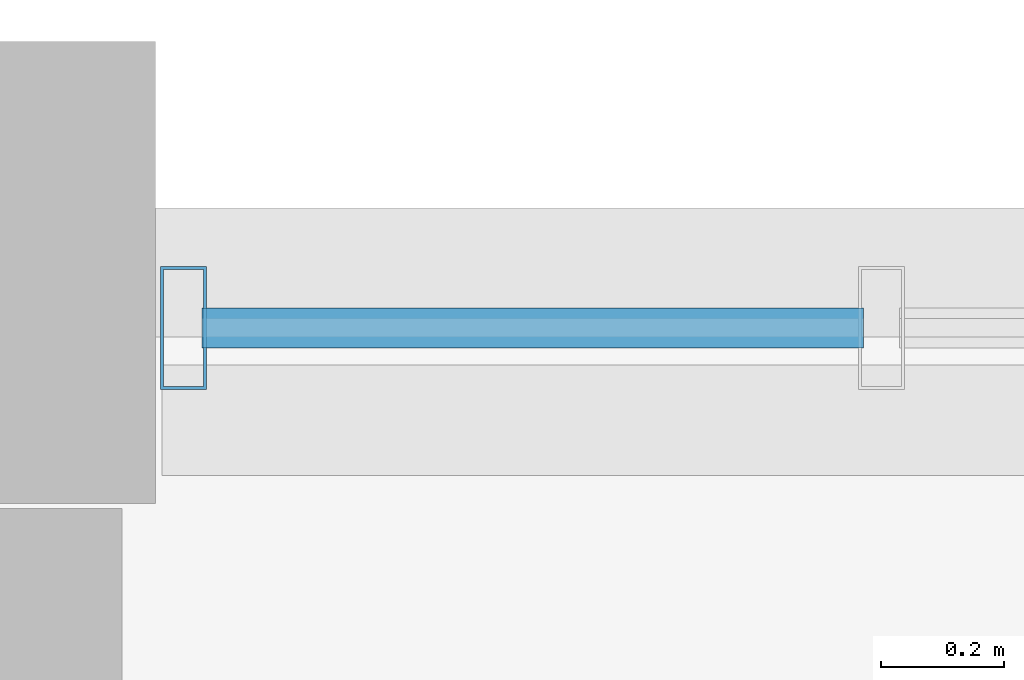
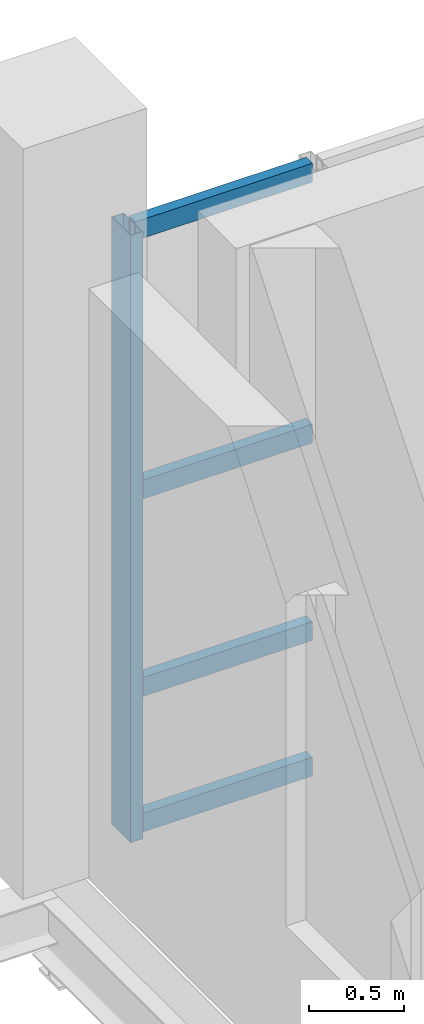
# One storey, part 61 of 127: 5 members, 1 element without a shape of its own.
"""IFC4 building model written with IfcOpenShell, lengths in metres."""

import ifcopenshell
import ifcopenshell.guid

model = None  # the IFC model being written
_history = None  # IfcOwnerHistory: only IFC2X3 demands one
_inside = {}  # id of a spatial element -> (the spatial element, [elements in it])
_under = {}  # id of a project, library or spatial element -> (it, [spatial elements below it])
_declared = {}  # id of a project -> (the project, [libraries it declares])
_typed = {}  # id of a type object -> (the type object, [elements of that type])
_made_of = {}  # id of a material, layer set ... -> (it, [elements and type objects made of it])


def new_model(schema):
    """Start an empty IFC model of exactly this schema.

    Asked for "IFC4X3", IfcOpenShell would pick the latest addendum, in which some entities
    have other attributes; the version numbers below select the first issue.
    IFC2X3 requires an IfcOwnerHistory on every rooted entity: one is made here for all.
    """
    global model, _history
    if schema == "IFC4X3":
        model = ifcopenshell.file(schema_version=(4, 3, 0, 0))
    else:
        model = ifcopenshell.file(schema=schema)
    _inside.clear()
    _under.clear()
    _declared.clear()
    _typed.clear()
    _made_of.clear()
    _history = None
    if model.schema == "IFC2X3":
        org = make("IfcOrganization", Name="unknown")
        user = make(
            "IfcPersonAndOrganization",
            ThePerson=make("IfcPerson", FamilyName="unknown"),
            TheOrganization=org,
        )
        app = make(
            "IfcApplication",
            ApplicationDeveloper=org,
            Version="unknown",
            ApplicationFullName="unknown",
            ApplicationIdentifier="unknown",
        )
        _history = make(
            "IfcOwnerHistory",
            OwningUser=user,
            OwningApplication=app,
            ChangeAction="ADDED",
            CreationDate=0,
        )
    return model


def make(cls, **values):
    """One entity of the class cls with the attributes given. An attribute that is None is left unset."""
    return model.create_entity(
        cls, **{name: value for name, value in values.items() if value is not None}
    )


def rooted(cls, **values):
    """An entity with a GlobalId (a new one), such as an element, a storey or a relation."""
    return make(cls, GlobalId=ifcopenshell.guid.new(), OwnerHistory=_history, **values)


def si_unit(unit_type, name, prefix=None):
    """IfcSIUnit, for example si_unit("LENGTHUNIT", "METRE", prefix="MILLI")."""
    return make("IfcSIUnit", UnitType=unit_type, Prefix=prefix, Name=name)


def derived_unit(unit_type, elements):
    """IfcDerivedUnit: a product of units, each with its exponent."""
    return make(
        "IfcDerivedUnit",
        Elements=[
            make("IfcDerivedUnitElement", Unit=unit, Exponent=power)
            for unit, power in elements
        ],
        UnitType=unit_type,
    )


def assignment(units):
    """IfcUnitAssignment: the units of a project."""
    return None if units is None else make("IfcUnitAssignment", Units=units)


def point(xyz):
    """IfcCartesianPoint."""
    return None if xyz is None else make("IfcCartesianPoint", Coordinates=xyz)


def direction(xyz):
    """IfcDirection."""
    return None if xyz is None else make("IfcDirection", DirectionRatios=xyz)


def frame(location, z_axis=None, x_axis=None):
    """IfcAxis2Placement3D, a coordinate frame: its origin and axes. An axis left out is left unset."""
    return make(
        "IfcAxis2Placement3D",
        Location=point(location),
        Axis=direction(z_axis),
        RefDirection=direction(x_axis),
    )


def frame_2d(location, x_axis=None):
    """IfcAxis2Placement2D, a coordinate frame in the plane: its origin and x axis."""
    return make(
        "IfcAxis2Placement2D", Location=point(location), RefDirection=direction(x_axis)
    )


def origin():
    """The frame at (0, 0, 0) with its axes left unset."""
    return frame((0.0, 0.0, 0.0))


def origin_2d():
    """The frame at (0, 0) in the plane with its x axis left unset."""
    return frame_2d((0.0, 0.0))


def place(relative_to, where):
    """IfcLocalPlacement: puts the frame where relative to a parent placement (None: the world)."""
    return make(
        "IfcLocalPlacement", PlacementRelTo=relative_to, RelativePlacement=where
    )


def context(
    kind, dimensions, precision=None, world=None, true_north=None, identifier=None
):
    """IfcGeometricRepresentationContext, for example the 3D "Model" context."""
    return make(
        "IfcGeometricRepresentationContext",
        ContextIdentifier=identifier,
        ContextType=kind,
        CoordinateSpaceDimension=dimensions,
        Precision=precision,
        WorldCoordinateSystem=world,
        TrueNorth=true_north,
    )


def subcontext(parent, identifier, kind, view, scale=None):
    """IfcGeometricRepresentationSubContext, for example "Body" below "Model"."""
    return make(
        "IfcGeometricRepresentationSubContext",
        ContextIdentifier=identifier,
        ContextType=kind,
        ParentContext=parent,
        TargetScale=scale,
        TargetView=view,
    )


def project(units=None, contexts=None):
    """IfcProject with its units and contexts."""
    return rooted(
        "IfcProject",
        Name="project",
        RepresentationContexts=contexts,
        UnitsInContext=assignment(units),
    )


def spatial(cls, under=None, at=None, **own):
    """A site, building, storey or space (cls), placed at a placement, below another one or the project."""
    s = rooted(cls, ObjectPlacement=at, **own)
    if under is not None:
        _under.setdefault(under.id(), (under, []))[1].append(s)
    return s


def profile(cls, at=None, kind="AREA", **sizes):
    """A parametric profile (cls). Its sizes go by their IFC names, for example OverallWidth=200.0."""
    return make(cls, ProfileType=kind, Position=at, **sizes)


def hollow_rectangle(**sizes):
    """IfcRectangleHollowProfileDef."""
    return profile("IfcRectangleHollowProfileDef", **sizes)


def extrude(swept, where, along, depth):
    """IfcExtrudedAreaSolid: the profile swept, set in the frame where, extruded along a direction by depth."""
    return make(
        "IfcExtrudedAreaSolid",
        SweptArea=swept,
        Position=where,
        ExtrudedDirection=direction(along),
        Depth=depth,
    )


def shape(context_of_items, identifier, shape_type, items):
    """IfcShapeRepresentation: the items that make up one representation, for example the "Body"."""
    return make(
        "IfcShapeRepresentation",
        ContextOfItems=context_of_items,
        RepresentationIdentifier=identifier,
        RepresentationType=shape_type,
        Items=items,
    )


def material(Name=None, Category=None):
    """IfcMaterial."""
    return make("IfcMaterial", Name=Name, Category=Category)


def layer(
    of_material, thickness, ventilated=None, Name=None, Category=None, Priority=None
):
    """IfcMaterialLayer: one layer of a wall or slab, of a material (None: an air gap)."""
    return make(
        "IfcMaterialLayer",
        Material=of_material,
        LayerThickness=thickness,
        IsVentilated=ventilated,
        Name=Name,
        Category=Category,
        Priority=Priority,
    )


def layer_set(layers, Name=None):
    """IfcMaterialLayerSet."""
    return make("IfcMaterialLayerSet", MaterialLayers=layers, LayerSetName=Name)


def material_profile(
    of_material, cross_section, Name=None, Category=None, Priority=None
):
    """IfcMaterialProfile: a cross section and its material."""
    return make(
        "IfcMaterialProfile",
        Name=Name,
        Material=of_material,
        Profile=cross_section,
        Priority=Priority,
        Category=Category,
    )


def profile_set(profiles, Name=None, composite=None):
    """IfcMaterialProfileSet."""
    return make(
        "IfcMaterialProfileSet",
        Name=Name,
        MaterialProfiles=profiles,
        CompositeProfile=composite,
    )


def made_of(thing, what):
    """Note that an element or type object is made of a material, layer set ...; save() writes the relation."""
    if what is not None:
        _made_of.setdefault(what.id(), (what, []))[1].append(thing)
    return thing


def type_object(cls, material=None, **own):
    """A type object (cls), such as IfcWallType, which elements share."""
    return made_of(rooted(cls, **own), material)


def element(
    cls,
    number,
    at=None,
    inside=None,
    cuts=None,
    type_object=None,
    material=None,
    context=None,
    identifier="Body",
    shape_type=None,
    held_by="IfcProductDefinitionShape",
    body=None,
    shapes=None,
    **own,
):
    """One element of the class cls, such as IfcWall. Its Tag is "e" and its number.

    at: its placement. inside: the storey or other place that contains it. cuts: it is an
    opening in that element (IfcRelVoidsElement). A single representation is given by context,
    identifier, shape_type and body (its items); several are given by shapes. held_by: the class
    of the entity that holds the representations. save() writes the other relations.
    """
    e = rooted(cls, Tag="e%d" % number, ObjectPlacement=at, **own)
    if body is not None:
        shapes = [shape(context, identifier, shape_type, body)]
    if shapes is not None:
        e.Representation = make(held_by, Representations=shapes)
    if inside is not None:
        _inside.setdefault(inside.id(), (inside, []))[1].append(e)
    if cuts is not None:
        rooted(
            "IfcRelVoidsElement", RelatingBuildingElement=cuts, RelatedOpeningElement=e
        )
    if type_object is not None:
        _typed.setdefault(type_object.id(), (type_object, []))[1].append(e)
    return made_of(e, material)


def aggregate(whole, parts):
    """IfcRelAggregates: a whole, such as a stair, and the parts it consists of."""
    return rooted("IfcRelAggregates", RelatingObject=whole, RelatedObjects=parts)


def save(model, path):
    """Write the relations noted so far, then the file.

    IfcRelAggregates (storeys below a building ...), IfcRelContainedInSpatialStructure (elements
    in a storey), IfcRelDefinesByType, IfcRelAssociatesMaterial and IfcRelDeclares: one each for
    every whole, place, type object, material and project.
    """
    for whole, parts in _under.values():
        aggregate(whole, parts)
    for where, things in _inside.values():
        rooted(
            "IfcRelContainedInSpatialStructure",
            RelatedElements=things,
            RelatingStructure=where,
        )
    for kind, things in _typed.values():
        rooted("IfcRelDefinesByType", RelatedObjects=things, RelatingType=kind)
    for what, things in _made_of.values():
        rooted("IfcRelAssociatesMaterial", RelatedObjects=things, RelatingMaterial=what)
    for by, libraries in _declared.values():
        rooted("IfcRelDeclares", RelatingContext=by, RelatedDefinitions=libraries)
    model.write(path)


model = new_model("IFC4")

# Units and contexts
model_context = context("Model", 3, precision=1e-05, world=origin(), true_north=direction((0.0, 1.0)))
body_context = subcontext(model_context, "Body", "Model", "MODEL_VIEW")
ifc_project = project(units=[si_unit("LENGTHUNIT", "METRE"), si_unit("AREAUNIT", "SQUARE_METRE"), si_unit("VOLUMEUNIT", "CUBIC_METRE"), si_unit("PLANEANGLEUNIT", "RADIAN"), si_unit("MASSUNIT", "GRAM", prefix="KILO"), derived_unit("THERMALTRANSMITTANCEUNIT", [(si_unit("POWERUNIT", "WATT"), 1), (si_unit("LENGTHUNIT", "METRE"), -2), (si_unit("THERMODYNAMICTEMPERATUREUNIT", "KELVIN"), -1)])], contexts=[model_context])

# Site, building, storey
site_placement = place(None, origin())
site = spatial("IfcSite", under=ifc_project, at=site_placement, CompositionType="ELEMENT")
building_placement = place(site_placement, origin())
building = spatial("IfcBuilding", under=site, at=building_placement, Name="Nallur Shell Playhouse", CompositionType="ELEMENT")
storey_placement = place(building_placement, frame((0.0, 0.0, 5.39990234375)))
storey = spatial("IfcBuildingStorey", under=building, at=storey_placement, Name="L02", CompositionType="ELEMENT", Elevation=5.39990234375)

# Curtain wall, members
ifc_material_1 = material(Name="Anodised Aluminium Double-Glazed Facade System", Category="aluminium")
ifc_layer = layer(ifc_material_1, 0.172119140625)
ifc_layer_set = layer_set([ifc_layer], Name="Anodised Aluminium Double-Glazed Facade System")
curtain_wall_type = type_object("IfcCurtainWallType", Name="CW-UNIT-27", PredefinedType="NOTDEFINED", material=ifc_layer_set)
curtain_wall_placement = place(storey_placement, origin())
curtain_wall = element("IfcCurtainWall", 1, at=curtain_wall_placement, inside=storey, type_object=curtain_wall_type, Name="Unitised curtain wall CW-027 (L02)", PredefinedType="NOTDEFINED")
ifc_material_2 = material(Name="Aluminium Alloy 6063-T6 Mullion", Category="aluminium")
ifc_material_profile_1 = material_profile(ifc_material_2, hollow_rectangle(XDim=0.074951171875, YDim=0.199951171875, WallThickness=0.0048828125, at=origin_2d()), Name="ALU 75x200x5")
ifc_profile_set_1 = profile_set([ifc_material_profile_1], Name="Aluminium Alloy 6063-T6 Mullion")
member_type_1 = type_object("IfcMemberType", Name="MB-CW-MUL180", PredefinedType="MULLION", material=ifc_profile_set_1)
member_1_placement = place(storey_placement, frame((119.0205078125, 55.909912109375, -0.014892578125), z_axis=(0.0, 0.0, 1.0), x_axis=(1.0, 0.0, 0.0)))
member_1 = element("IfcMember", 2, at=member_1_placement, type_object=member_type_1, Name="CW-27 mullion 1", PredefinedType="MULLION", context=body_context, shape_type="SweptSolid", body=[
    extrude(hollow_rectangle(XDim=0.074951171875, YDim=0.199951171875, WallThickness=0.0048828125, at=origin_2d()), origin(), (0.0, 0.0, 1.0), 3.884033203125),
])
ifc_material_3 = material(Name="Aluminium Alloy 6063-T6 Transom", Category="aluminium")
ifc_material_profile_2 = material_profile(ifc_material_3, hollow_rectangle(XDim=0.06494140625, YDim=0.1201171875, WallThickness=0.00390625, at=origin_2d()), Name="ALU 65x120x4")
ifc_profile_set_2 = profile_set([ifc_material_profile_2], Name="Aluminium Alloy 6063-T6 Transom")
member_type_2 = type_object("IfcMemberType", Name="MB-CW-TRN120", PredefinedType="USERDEFINED", material=ifc_profile_set_2)
member_2_placement = place(storey_placement, frame((119.050048828125, 55.909912109375, 0.03271484375), z_axis=(1.0, 0.0, 0.0), x_axis=(0.0, 1.0, 0.0)))
member_2 = element("IfcMember", 3, at=member_2_placement, type_object=member_type_2, Name="CW-27 transom 1.1", ObjectType="TRANSOM", PredefinedType="USERDEFINED", context=body_context, shape_type="SweptSolid", body=[
    extrude(hollow_rectangle(XDim=0.06494140625, YDim=0.1201171875, WallThickness=0.00390625, at=origin_2d()), origin(), (0.0, 0.0, 1.0), 1.07421875),
])
member_3_placement = place(storey_placement, frame((119.050048828125, 55.909912109375, 0.900146484375), z_axis=(1.0, 0.0, 0.0), x_axis=(0.0, 1.0, 0.0)))
member_3 = element("IfcMember", 4, at=member_3_placement, type_object=member_type_2, Name="CW-27 transom 1.2", ObjectType="TRANSOM", PredefinedType="USERDEFINED", context=body_context, shape_type="SweptSolid", body=[
    extrude(hollow_rectangle(XDim=0.06494140625, YDim=0.1201171875, WallThickness=0.00390625, at=origin_2d()), origin(), (0.0, 0.0, 1.0), 1.07421875),
])
member_4_placement = place(storey_placement, frame((119.050048828125, 55.909912109375, 2.1640625), z_axis=(1.0, 0.0, 0.0), x_axis=(0.0, 1.0, 0.0)))
member_4 = element("IfcMember", 5, at=member_4_placement, type_object=member_type_2, Name="CW-27 transom 1.3", ObjectType="TRANSOM", PredefinedType="USERDEFINED", context=body_context, shape_type="SweptSolid", body=[
    extrude(hollow_rectangle(XDim=0.06494140625, YDim=0.1201171875, WallThickness=0.00390625, at=origin_2d()), origin(), (0.0, 0.0, 1.0), 1.07421875),
])
member_5_placement = place(storey_placement, frame((119.050048828125, 55.909912109375, 3.83251953125), z_axis=(1.0, 0.0, 0.0), x_axis=(0.0, 1.0, 0.0)))
member_5 = element("IfcMember", 6, at=member_5_placement, type_object=member_type_2, Name="CW-27 transom 1.4", ObjectType="TRANSOM", PredefinedType="USERDEFINED", context=body_context, shape_type="SweptSolid", body=[
    extrude(hollow_rectangle(XDim=0.06494140625, YDim=0.1201171875, WallThickness=0.00390625, at=origin_2d()), origin(), (0.0, 0.0, 1.0), 1.07421875),
])
aggregate(curtain_wall, [member_1, member_2, member_3, member_4, member_5])

save(model, "model.ifc")
